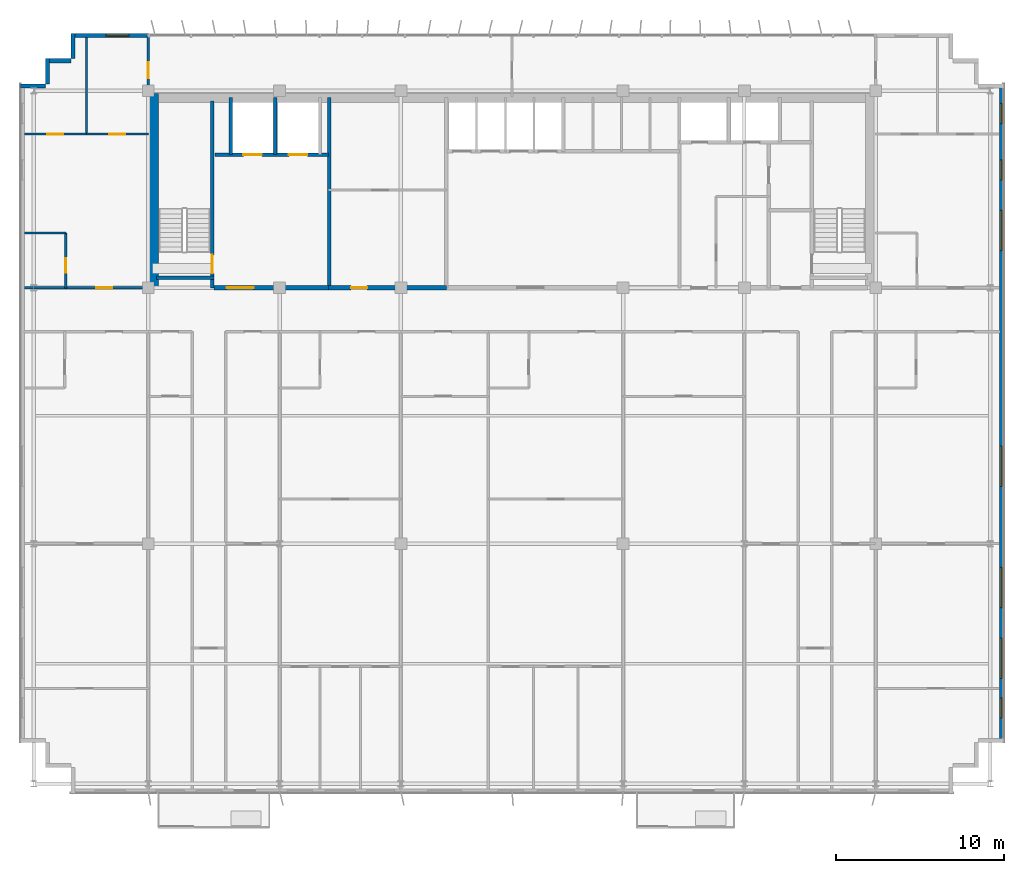
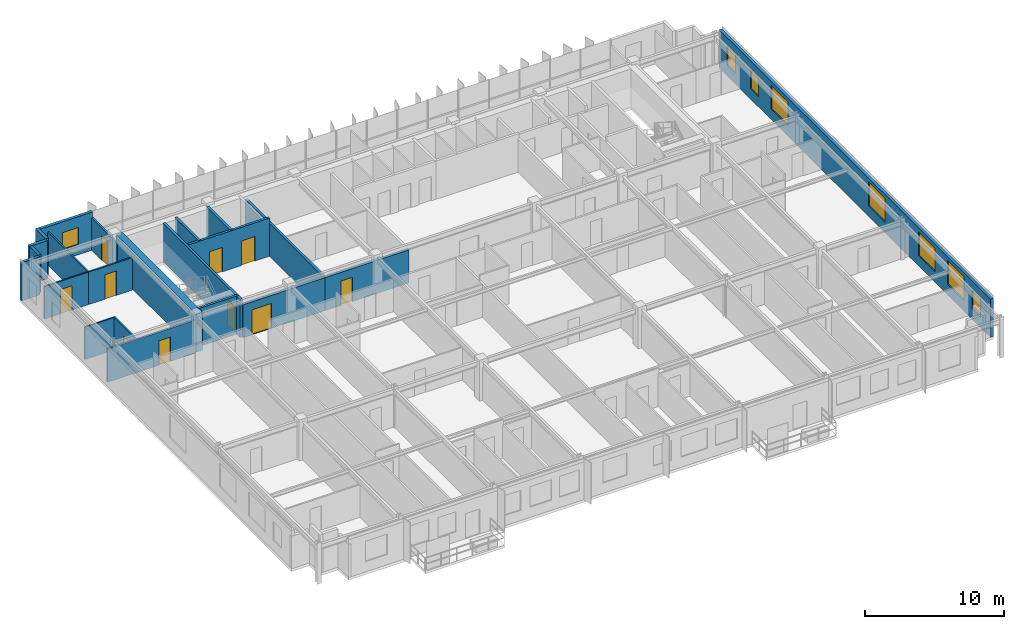
# One storey, part 19 of 23: 22 walls, 10 doors, 8 windows, 18 openings.
"""IFC4 building model written with IfcOpenShell, lengths in metres."""

from ifc_helpers import new_model, si_unit, direction, frame, frame_2d, origin, place, context, subcontext, project, spatial, rectangle, extrude, source, transform, mapped, material, layer, layer_set, type_object, element, fill, save


model = new_model("IFC4")

# Units and contexts
model_context = context("Model", 3, precision=1e-05, world=origin(), true_north=direction((0.0, 1.0)))
body_context = subcontext(model_context, "Body", "Model", "MODEL_VIEW")
ifc_project = project(units=[si_unit("LENGTHUNIT", "METRE"), si_unit("AREAUNIT", "SQUARE_METRE"), si_unit("VOLUMEUNIT", "CUBIC_METRE"), si_unit("PLANEANGLEUNIT", "RADIAN"), si_unit("MASSUNIT", "GRAM", prefix="KILO")], contexts=[model_context])

# Site, building, storey
site_placement = place(None, origin())
site = spatial("IfcSite", under=ifc_project, at=site_placement, CompositionType="ELEMENT")
building_placement = place(site_placement, origin())
building = spatial("IfcBuilding", under=site, at=building_placement, Name="Trelvane Seafront Commons", CompositionType="ELEMENT")
storey_placement = place(building_placement, frame((0.0, 0.0, 212.10009765625)))
storey = spatial("IfcBuildingStorey", under=building, at=storey_placement, Name="L55", CompositionType="ELEMENT", Elevation=212.10009765625)

# Wall, opening, window
ifc_material_1 = material(Name="Precast concrete C40/50", Category="concrete")
ifc_layer_1 = layer(ifc_material_1, 0.239990234375, Name="ARCH-WALL-EXT240")
ifc_layer_set_1 = layer_set([ifc_layer_1], Name="Precast concrete C40/50")
wall_type_1 = type_object("IfcWallType", Name="ARCH-WALL-EXT240", PredefinedType="SOLIDWALL", material=ifc_layer_set_1)
wall_1_placement = place(storey_placement, frame((11.10009765625, 48.3701171875, 0.0), z_axis=(0.0, 0.0, 1.0), x_axis=(1.0, 0.0, 0.0)))
wall_1 = element("IfcWall", 1, at=wall_1_placement, inside=storey, type_object=wall_type_1, Name="EW-L55-NW-1099", PredefinedType="SOLIDWALL", context=body_context, shape_type="SweptSolid", body=[
    extrude(rectangle(XDim=4.5, YDim=0.239990234375, at=frame_2d((2.25, 0.0))), origin(), (0.0, 0.0, 1.0), 3.35986328125),
])
opening_1_placement = place(wall_1_placement, frame((2.0029296875, 0.0, 0.89990234375)))
opening_1 = element("IfcOpeningElement", 2, at=opening_1_placement, cuts=wall_1, Name="Opening W09", PredefinedType="OPENING", context=body_context, shape_type="SweptSolid", body=[
    extrude(rectangle(XDim=1.35009765625, YDim=1.5, at=frame_2d((0.675048828125, 0.75))), frame((0.0, 0.1298828125, 0.0), z_axis=(0.0, -1.0, 0.0), x_axis=(1.0, 0.0, 0.0)), (0.0, 0.0, 1.0), 0.260009765625),
])
ifc_material_2 = material(Name="Low-E coastal double glazing", Category="glass")
window_type_1 = type_object("IfcWindowType", Name="ARCH-WIN-W09", PartitioningType="SINGLE_PANEL", PredefinedType="WINDOW", material=ifc_material_2)
shared_shape_1 = source(origin(), body_context, "Body", "SweptSolid", [
    extrude(rectangle(XDim=1.35009765625, YDim=1.5, at=frame_2d((0.675048828125, 0.75))), frame((0.0, 0.030029296875, 0.0), z_axis=(0.0, -1.0, 0.0), x_axis=(1.0, 0.0, 0.0)), (0.0, 0.0, 1.0), 0.06005859375),
])
window_1_placement = place(opening_1_placement, origin())
window_1 = element("IfcWindow", 3, at=window_1_placement, inside=storey, type_object=window_type_1, Name="WIN-L55-01329", OverallHeight=1.5, OverallWidth=1.35009765625, PartitioningType="SINGLE_PANEL", PredefinedType="WINDOW", context=body_context, shape_type="MappedRepresentation", body=[
    mapped(shared_shape_1, transform((0.0, 0.0, 0.0), x_axis=(1.0, 0.0, 0.0), y_axis=(0.0, 1.0, 0.0), z_axis=(0.0, 0.0, 1.0), scale=1.0)),
])
fill(opening_1, window_1)

# Walls
for number, where, z_axis, x_axis, name in (
    (4, (8.0, 45.3798828125, 0.0), (0.0, 0.0, 1.0), (1.0, 0.0, 0.0), "EW-L55-01105"),
    (5, (9.6201171875, 45.5, 0.0), (0.0, 0.0, 1.0), (0.0, 1.0, 0.0), "EW-L55-01106"),
    (6, (9.5, 46.8798828125, 0.0), (0.0, 0.0, 1.0), (1.0, 0.0, 0.0), "EW-L55-01107"),
    (7, (11.1201171875, 47.0, 0.0), (0.0, 0.0, 1.0), (0.0, 1.0, 0.0), "EW-L55-01108"),
):
    element("IfcWall", number, at=place(storey_placement, frame(where, z_axis=z_axis, x_axis=x_axis)), inside=storey, type_object=wall_type_1, Name=name, PredefinedType="SOLIDWALL", context=body_context, shape_type="SweptSolid", body=[
        extrude(rectangle(XDim=1.5, YDim=0.239990234375, at=frame_2d((0.75, 0.0))), origin(), (0.0, 0.0, 1.0), 3.35986328125),
    ])

# Wall, openings, windows
wall_2_placement = place(storey_placement, frame((66.280029296875, 45.5, 0.0), z_axis=(0.0, 0.0, 1.0), x_axis=(0.0, -1.0, 0.0)))
wall_2 = element("IfcWall", 8, at=wall_2_placement, inside=storey, type_object=wall_type_1, Name="EW-L55-01113", PredefinedType="SOLIDWALL", context=body_context, shape_type="SweptSolid", body=[
    extrude(rectangle(XDim=39.10009765625, YDim=0.239990234375, at=frame_2d((19.550048828125, 0.0))), origin(), (0.0, 0.0, 1.0), 3.35986328125),
])
opening_2_placement = place(wall_2_placement, frame((36.449951171875, 0.0, 0.919921875)))
opening_2 = element("IfcOpeningElement", 9, at=opening_2_placement, cuts=wall_2, Name="Opening W05", PredefinedType="OPENING", context=body_context, shape_type="SweptSolid", body=[
    extrude(rectangle(XDim=1.199951171875, YDim=1.64990234375, at=frame_2d((0.60009765625, 0.824951171875))), frame((0.0, 0.1298828125, 0.0), z_axis=(0.0, -1.0, 0.0), x_axis=(1.0, 0.0, 0.0)), (0.0, 0.0, 1.0), 0.260009765625),
])
opening_3_placement = place(wall_2_placement, frame((32.89990234375, 0.0, 0.919921875)))
opening_3 = element("IfcOpeningElement", 10, at=opening_3_placement, cuts=wall_2, Name="Opening W08", PredefinedType="OPENING", context=body_context, shape_type="SweptSolid", body=[
    extrude(rectangle(XDim=2.39990234375, YDim=2.10009765625, at=frame_2d((1.199951171875, 1.050048828125))), frame((0.0, 0.1298828125, 0.0), z_axis=(0.0, -1.0, 0.0), x_axis=(1.0, 0.0, 0.0)), (0.0, 0.0, 1.0), 0.260009765625),
])
opening_4_placement = place(wall_2_placement, frame((28.699951171875, 0.0, 0.919921875)))
opening_4 = element("IfcOpeningElement", 11, at=opening_4_placement, cuts=wall_2, Name="Opening W08", PredefinedType="OPENING", context=body_context, shape_type="SweptSolid", body=[
    extrude(rectangle(XDim=2.39990234375, YDim=2.10009765625, at=frame_2d((1.199951171875, 1.050048828125))), frame((0.0, 0.1298828125, 0.0), z_axis=(0.0, -1.0, 0.0), x_axis=(1.0, 0.0, 0.0)), (0.0, 0.0, 1.0), 0.260009765625),
])
opening_5_placement = place(wall_2_placement, frame((21.5, 0.0, 0.919921875)))
opening_5 = element("IfcOpeningElement", 12, at=opening_5_placement, cuts=wall_2, Name="Opening W08", PredefinedType="OPENING", context=body_context, shape_type="SweptSolid", body=[
    extrude(rectangle(XDim=2.39990234375, YDim=2.10009765625, at=frame_2d((1.199951171875, 1.050048828125))), frame((0.0, 0.1298828125, 0.0), z_axis=(0.0, -1.0, 0.0), x_axis=(1.0, 0.0, 0.0)), (0.0, 0.0, 1.0), 0.260009765625),
])
opening_6_placement = place(wall_2_placement, frame((7.5, 0.0, 0.919921875)))
opening_6 = element("IfcOpeningElement", 13, at=opening_6_placement, cuts=wall_2, Name="Opening W08", PredefinedType="OPENING", context=body_context, shape_type="SweptSolid", body=[
    extrude(rectangle(XDim=2.39990234375, YDim=2.10009765625, at=frame_2d((1.199951171875, 1.050048828125))), frame((0.0, 0.1298828125, 0.0), z_axis=(0.0, -1.0, 0.0), x_axis=(1.0, 0.0, 0.0)), (0.0, 0.0, 1.0), 0.260009765625),
])
opening_7_placement = place(wall_2_placement, frame((4.5, 0.0, 0.919921875)))
opening_7 = element("IfcOpeningElement", 14, at=opening_7_placement, cuts=wall_2, Name="Opening W05", PredefinedType="OPENING", context=body_context, shape_type="SweptSolid", body=[
    extrude(rectangle(XDim=1.199951171875, YDim=1.64990234375, at=frame_2d((0.60009765625, 0.824951171875))), frame((0.0, 0.1298828125, 0.0), z_axis=(0.0, -1.0, 0.0), x_axis=(1.0, 0.0, 0.0)), (0.0, 0.0, 1.0), 0.260009765625),
])
opening_8_placement = place(wall_2_placement, frame((1.14990234375, 0.0, 0.919921875)))
opening_8 = element("IfcOpeningElement", 15, at=opening_8_placement, cuts=wall_2, Name="Opening W05", PredefinedType="OPENING", context=body_context, shape_type="SweptSolid", body=[
    extrude(rectangle(XDim=1.199951171875, YDim=1.64990234375, at=frame_2d((0.60009765625, 0.824951171875))), frame((0.0, 0.1298828125, 0.0), z_axis=(0.0, -1.0, 0.0), x_axis=(1.0, 0.0, 0.0)), (0.0, 0.0, 1.0), 0.260009765625),
])
window_type_2 = type_object("IfcWindowType", Name="ARCH-WIN-W08", PartitioningType="SINGLE_PANEL", PredefinedType="WINDOW", material=ifc_material_2)
shared_shape_2 = source(origin(), body_context, "Body", "SweptSolid", [
    extrude(rectangle(XDim=2.39990234375, YDim=2.10009765625, at=frame_2d((1.199951171875, 1.050048828125))), frame((0.0, 0.030029296875, 0.0), z_axis=(0.0, -1.0, 0.0), x_axis=(1.0, 0.0, 0.0)), (0.0, 0.0, 1.0), 0.06005859375),
])
window_2_placement = place(opening_3_placement, origin())
window_2 = element("IfcWindow", 16, at=window_2_placement, inside=storey, type_object=window_type_2, Name="WIN-L55-EW-01338", OverallHeight=2.10009765625, OverallWidth=2.39990234375, PartitioningType="SINGLE_PANEL", PredefinedType="WINDOW", context=body_context, shape_type="MappedRepresentation", body=[
    mapped(shared_shape_2, transform((0.0, 0.0, 0.0), x_axis=(1.0, 0.0, 0.0), y_axis=(0.0, 1.0, 0.0), z_axis=(0.0, 0.0, 1.0), scale=1.0)),
])
fill(opening_3, window_2)
window_3_placement = place(opening_4_placement, origin())
window_3 = element("IfcWindow", 17, at=window_3_placement, inside=storey, type_object=window_type_2, Name="WIN-L55-EW-01339", OverallHeight=2.10009765625, OverallWidth=2.39990234375, PartitioningType="SINGLE_PANEL", PredefinedType="WINDOW", context=body_context, shape_type="MappedRepresentation", body=[
    mapped(shared_shape_2, transform((0.0, 0.0, 0.0), x_axis=(1.0, 0.0, 0.0), y_axis=(0.0, 1.0, 0.0), z_axis=(0.0, 0.0, 1.0), scale=1.0)),
])
fill(opening_4, window_3)
window_4_placement = place(opening_5_placement, origin())
window_4 = element("IfcWindow", 18, at=window_4_placement, inside=storey, type_object=window_type_2, Name="WIN-L55-EW-01340", OverallHeight=2.10009765625, OverallWidth=2.39990234375, PartitioningType="SINGLE_PANEL", PredefinedType="WINDOW", context=body_context, shape_type="MappedRepresentation", body=[
    mapped(shared_shape_2, transform((0.0, 0.0, 0.0), x_axis=(1.0, 0.0, 0.0), y_axis=(0.0, 1.0, 0.0), z_axis=(0.0, 0.0, 1.0), scale=1.0)),
])
fill(opening_5, window_4)
window_5_placement = place(opening_6_placement, origin())
window_5 = element("IfcWindow", 19, at=window_5_placement, inside=storey, type_object=window_type_2, Name="WIN-L55-EW-01341", OverallHeight=2.10009765625, OverallWidth=2.39990234375, PartitioningType="SINGLE_PANEL", PredefinedType="WINDOW", context=body_context, shape_type="MappedRepresentation", body=[
    mapped(shared_shape_2, transform((0.0, 0.0, 0.0), x_axis=(1.0, 0.0, 0.0), y_axis=(0.0, 1.0, 0.0), z_axis=(0.0, 0.0, 1.0), scale=1.0)),
])
fill(opening_6, window_5)
window_type_3 = type_object("IfcWindowType", Name="ARCH-WIN-W05", PartitioningType="SINGLE_PANEL", PredefinedType="WINDOW", material=ifc_material_2)
shared_shape_3 = source(origin(), body_context, "Body", "SweptSolid", [
    extrude(rectangle(XDim=1.199951171875, YDim=1.64990234375, at=frame_2d((0.60009765625, 0.824951171875))), frame((0.0, 0.030029296875, 0.0), z_axis=(0.0, -1.0, 0.0), x_axis=(1.0, 0.0, 0.0)), (0.0, 0.0, 1.0), 0.06005859375),
])
window_6_placement = place(opening_2_placement, origin())
window_6 = element("IfcWindow", 20, at=window_6_placement, inside=storey, type_object=window_type_3, Name="WIN-L55-EW-01337", OverallHeight=1.64990234375, OverallWidth=1.199951171875, PartitioningType="SINGLE_PANEL", PredefinedType="WINDOW", context=body_context, shape_type="MappedRepresentation", body=[
    mapped(shared_shape_3, transform((0.0, 0.0, 0.0), x_axis=(1.0, 0.0, 0.0), y_axis=(0.0, 1.0, 0.0), z_axis=(0.0, 0.0, 1.0), scale=1.0)),
])
fill(opening_2, window_6)
window_7_placement = place(opening_7_placement, origin())
window_7 = element("IfcWindow", 21, at=window_7_placement, inside=storey, type_object=window_type_3, Name="WIN-L55-EW-01342", OverallHeight=1.64990234375, OverallWidth=1.199951171875, PartitioningType="SINGLE_PANEL", PredefinedType="WINDOW", context=body_context, shape_type="MappedRepresentation", body=[
    mapped(shared_shape_3, transform((0.0, 0.0, 0.0), x_axis=(1.0, 0.0, 0.0), y_axis=(0.0, 1.0, 0.0), z_axis=(0.0, 0.0, 1.0), scale=1.0)),
])
fill(opening_7, window_7)
window_8_placement = place(opening_8_placement, origin())
window_8 = element("IfcWindow", 22, at=window_8_placement, inside=storey, type_object=window_type_3, Name="WIN-L55-EW-01343", OverallHeight=1.64990234375, OverallWidth=1.199951171875, PartitioningType="SINGLE_PANEL", PredefinedType="WINDOW", context=body_context, shape_type="MappedRepresentation", body=[
    mapped(shared_shape_3, transform((0.0, 0.0, 0.0), x_axis=(1.0, 0.0, 0.0), y_axis=(0.0, 1.0, 0.0), z_axis=(0.0, 0.0, 1.0), scale=1.0)),
])
fill(opening_8, window_8)

# Wall, opening, door
ifc_material_3 = material(Name="Concrete C40/50", Category="concrete")
ifc_layer_2 = layer(ifc_material_3, 0.25, Name="ARCH-WALL-FIRE250")
ifc_layer_set_2 = layer_set([ifc_layer_2], Name="Concrete C40/50")
wall_type_2 = type_object("IfcWallType", Name="ARCH-WALL-FIRE250", PredefinedType="PARTITIONING", material=ifc_layer_set_2)
wall_3_placement = place(storey_placement, frame((19.5, 33.39990234375, 0.0), z_axis=(0.0, 0.0, 1.0), x_axis=(1.0, 0.0, 0.0)))
wall_3 = element("IfcWall", 23, at=wall_3_placement, inside=storey, type_object=wall_type_2, Name="W-L55-CS-FFL-013", PredefinedType="PARTITIONING", context=body_context, shape_type="SweptSolid", body=[
    extrude(rectangle(XDim=6.800048828125, YDim=0.25, at=frame_2d((3.39990234375, 0.0))), origin(), (0.0, 0.0, 1.0), 2.909912109375),
])
opening_9_placement = place(wall_3_placement, frame((0.75, 0.0, 0.0)))
opening_9 = element("IfcOpeningElement", 24, at=opening_9_placement, cuts=wall_3, Name="Opening FD-L55-05", PredefinedType="OPENING", context=body_context, shape_type="SweptSolid", body=[
    extrude(rectangle(XDim=1.60009765625, YDim=2.199951171875, at=frame_2d((0.800048828125, 1.10009765625))), frame((0.0, 0.135009765625, 0.0), z_axis=(0.0, -1.0, 0.0), x_axis=(1.0, 0.0, 0.0)), (0.0, 0.0, 1.0), 0.27001953125),
])
ifc_material_4 = material(Name="Powder-coated aluminium frame", Category="aluminium")
door_type_1 = type_object("IfcDoorType", Name="ARCH-DR-FD60-1600", OperationType="DOUBLE_DOOR_SINGLE_SWING", PredefinedType="DOOR", material=ifc_material_4)
shared_shape_4 = source(origin(), body_context, "Body", "SweptSolid", [
    extrude(rectangle(XDim=1.60009765625, YDim=2.199951171875, at=frame_2d((0.800048828125, 1.10009765625))), frame((0.0, 0.02490234375, 0.0), z_axis=(0.0, -1.0, 0.0), x_axis=(1.0, 0.0, 0.0)), (0.0, 0.0, 1.0), 0.050048828125),
])
door_1_placement = place(opening_9_placement, origin())
door_1 = element("IfcDoor", 25, at=door_1_placement, inside=storey, type_object=door_type_1, Name="L55 Firefighting Lift Lobby Double Fire Door", OperationType="DOUBLE_DOOR_SINGLE_SWING", OverallHeight=2.199951171875, OverallWidth=1.60009765625, PredefinedType="DOOR", context=body_context, shape_type="MappedRepresentation", body=[
    mapped(shared_shape_4, transform((0.0, 0.0, 0.0), x_axis=(1.0, 0.0, 0.0), y_axis=(0.0, 1.0, 0.0), z_axis=(0.0, 0.0, 1.0), scale=1.0)),
])
fill(opening_9, door_1)

wall_4_placement = place(storey_placement, frame((26.300048828125, 33.39990234375, 0.0), z_axis=(0.0, 0.0, 1.0), x_axis=(1.0, 0.0, 0.0)))
wall_4 = element("IfcWall", 26, at=wall_4_placement, inside=storey, type_object=wall_type_2, Name="W-L55-CS-FPL-026", PredefinedType="PARTITIONING", context=body_context, shape_type="SweptSolid", body=[
    extrude(rectangle(XDim=7.0, YDim=0.25, at=frame_2d((3.5, 0.0))), origin(), (0.0, 0.0, 1.0), 2.909912109375),
])
opening_10_placement = place(wall_4_placement, frame((1.35009765625, 0.0, 0.0)))
opening_10 = element("IfcOpeningElement", 27, at=opening_10_placement, cuts=wall_4, Name="Opening D-L55-11", PredefinedType="OPENING", context=body_context, shape_type="SweptSolid", body=[
    extrude(rectangle(XDim=0.949951171875, YDim=2.14990234375, at=frame_2d((0.47509765625, 1.074951171875))), frame((0.0, 0.135009765625, 0.0), z_axis=(0.0, -1.0, 0.0), x_axis=(1.0, 0.0, 0.0)), (0.0, 0.0, 1.0), 0.27001953125),
])
ifc_material_5 = material(Name="Acoustic timber door leaf", Category="wood")
door_type_2 = type_object("IfcDoorType", Name="ARCH-DR-INT950", OperationType="NOTDEFINED", PredefinedType="DOOR", material=ifc_material_5)
shared_shape_5 = source(origin(), body_context, "Body", "SweptSolid", [
    extrude(rectangle(XDim=0.949951171875, YDim=2.14990234375, at=frame_2d((0.47509765625, 1.074951171875))), frame((0.0, 0.02490234375, 0.0), z_axis=(0.0, -1.0, 0.0), x_axis=(1.0, 0.0, 0.0)), (0.0, 0.0, 1.0), 0.050048828125),
])
door_2_placement = place(opening_10_placement, origin())
door_2 = element("IfcDoor", 28, at=door_2_placement, inside=storey, type_object=door_type_2, Name="L55 Floor Pantry Entrance Door", OperationType="SINGLE_SWING_LEFT", OverallHeight=2.14990234375, OverallWidth=0.949951171875, PredefinedType="DOOR", context=body_context, shape_type="MappedRepresentation", body=[
    mapped(shared_shape_5, transform((0.0, 0.0, 0.0), x_axis=(1.0, 0.0, 0.0), y_axis=(0.0, 1.0, 0.0), z_axis=(0.0, 0.0, 1.0), scale=1.0)),
])
fill(opening_10, door_2)

ifc_material_6 = material(Name="Gypsum Drywall Acoustic Partition")
ifc_layer_3 = layer(ifc_material_6, 0.1201171875, Name="ARCH-WALL-PART120")
ifc_layer_set_3 = layer_set([ifc_layer_3], Name="Gypsum Drywall Acoustic Partition")
wall_type_3 = type_object("IfcWallType", Name="ARCH-WALL-PART120", PredefinedType="PARTITIONING", material=ifc_layer_set_3)
wall_5_placement = place(storey_placement, frame((10.699951171875, 33.39990234375, 0.0), z_axis=(0.0, 0.0, 1.0), x_axis=(0.0, 1.0, 0.0)))
wall_5 = element("IfcWall", 29, at=wall_5_placement, inside=storey, type_object=wall_type_3, Name="W-L55-NW-BE-036", PredefinedType="PARTITIONING", context=body_context, shape_type="SweptSolid", body=[
    extrude(rectangle(XDim=3.25, YDim=0.1201171875, at=frame_2d((1.625, 0.0))), origin(), (0.0, 0.0, 1.0), 2.909912109375),
])
opening_11_placement = place(wall_5_placement, frame((0.89990234375, 0.0, 0.0)))
opening_11 = element("IfcOpeningElement", 30, at=opening_11_placement, cuts=wall_5, Name="Opening D-L55-19", PredefinedType="OPENING", context=body_context, shape_type="SweptSolid", body=[
    extrude(rectangle(XDim=0.85009765625, YDim=2.10009765625, at=frame_2d((0.425048828125, 1.050048828125))), frame((0.0, 0.070068359375, 0.0), z_axis=(0.0, -1.0, 0.0), x_axis=(1.0, 0.0, 0.0)), (0.0, 0.0, 1.0), 0.14013671875),
])
door_type_3 = type_object("IfcDoorType", Name="ARCH-DR-INT850", OperationType="NOTDEFINED", PredefinedType="DOOR", material=ifc_material_5)
shared_shape_6 = source(origin(), body_context, "Body", "SweptSolid", [
    extrude(rectangle(XDim=0.85009765625, YDim=2.10009765625, at=frame_2d((0.425048828125, 1.050048828125))), frame((0.0, 0.02490234375, 0.0), z_axis=(0.0, -1.0, 0.0), x_axis=(1.0, 0.0, 0.0)), (0.0, 0.0, 1.0), 0.050048828125),
])
door_3_placement = place(opening_11_placement, origin())
door_3 = element("IfcDoor", 31, at=door_3_placement, inside=storey, type_object=door_type_3, Name="L55 Door 19", OperationType="SINGLE_SWING_LEFT", OverallHeight=2.10009765625, OverallWidth=0.85009765625, PredefinedType="DOOR", context=body_context, shape_type="MappedRepresentation", body=[
    mapped(shared_shape_6, transform((0.0, 0.0, 0.0), x_axis=(1.0, 0.0, 0.0), y_axis=(0.0, 1.0, 0.0), z_axis=(0.0, 0.0, 1.0), scale=1.0)),
])
fill(opening_11, door_3)

# Wall
wall_6_placement = place(storey_placement, frame((8.25, 36.64990234375, 0.0), z_axis=(0.0, 0.0, 1.0), x_axis=(1.0, 0.0, 0.0)))
element("IfcWall", 32, at=wall_6_placement, inside=storey, type_object=wall_type_3, Name="W-L55-NW-BN-037", PredefinedType="PARTITIONING", context=body_context, shape_type="SweptSolid", body=[
    extrude(rectangle(XDim=2.449951171875, YDim=0.1201171875, at=frame_2d((1.22509765625, 0.0))), origin(), (0.0, 0.0, 1.0), 2.85986328125),
])

# Wall, opening, door
wall_7_placement = place(storey_placement, frame((8.25, 42.52001953125, 0.0), z_axis=(0.0, 0.0, 1.0), x_axis=(1.0, 0.0, 0.0)))
wall_7 = element("IfcWall", 33, at=wall_7_placement, inside=storey, type_object=wall_type_3, Name="W-L55-NW-KB1-038", PredefinedType="PARTITIONING", context=body_context, shape_type="SweptSolid", body=[
    extrude(rectangle(XDim=3.675048828125, YDim=0.1201171875, at=frame_2d((1.83740234375, 0.0))), origin(), (0.0, 0.0, 1.0), 2.85986328125),
])
opening_12_placement = place(wall_7_placement, frame((1.363037109375, 0.0, 0.0)))
opening_12 = element("IfcOpeningElement", 34, at=opening_12_placement, cuts=wall_7, Name="Opening D-L55-20", PredefinedType="OPENING", context=body_context, shape_type="SweptSolid", body=[
    extrude(rectangle(XDim=0.949951171875, YDim=2.14990234375, at=frame_2d((0.47509765625, 1.074951171875))), frame((0.0, 0.070068359375, 0.0), z_axis=(0.0, -1.0, 0.0), x_axis=(1.0, 0.0, 0.0)), (0.0, 0.0, 1.0), 0.14013671875),
])
door_4_placement = place(opening_12_placement, origin())
door_4 = element("IfcDoor", 35, at=door_4_placement, inside=storey, type_object=door_type_2, Name="L55 Door 20", OperationType="SINGLE_SWING_RIGHT", OverallHeight=2.14990234375, OverallWidth=0.949951171875, PredefinedType="DOOR", context=body_context, shape_type="MappedRepresentation", body=[
    mapped(shared_shape_5, transform((0.0, 0.0, 0.0), x_axis=(1.0, 0.0, 0.0), y_axis=(0.0, 1.0, 0.0), z_axis=(0.0, 0.0, 1.0), scale=1.0)),
])
fill(opening_12, door_4)

wall_8_placement = place(storey_placement, frame((11.925048828125, 42.52001953125, 0.0), z_axis=(0.0, 0.0, 1.0), x_axis=(1.0, 0.0, 0.0)))
wall_8 = element("IfcWall", 36, at=wall_8_placement, inside=storey, type_object=wall_type_3, Name="W-L55-NW-KB2-039", PredefinedType="PARTITIONING", context=body_context, shape_type="SweptSolid", body=[
    extrude(rectangle(XDim=3.675048828125, YDim=0.1201171875, at=frame_2d((1.83740234375, 0.0))), origin(), (0.0, 0.0, 1.0), 2.85986328125),
])
opening_13_placement = place(wall_8_placement, frame((1.362060546875, 0.0, 0.0)))
opening_13 = element("IfcOpeningElement", 37, at=opening_13_placement, cuts=wall_8, Name="Opening D-L55-21", PredefinedType="OPENING", context=body_context, shape_type="SweptSolid", body=[
    extrude(rectangle(XDim=0.949951171875, YDim=2.14990234375, at=frame_2d((0.47509765625, 1.074951171875))), frame((0.0, 0.070068359375, 0.0), z_axis=(0.0, -1.0, 0.0), x_axis=(1.0, 0.0, 0.0)), (0.0, 0.0, 1.0), 0.14013671875),
])
door_5_placement = place(opening_13_placement, origin())
door_5 = element("IfcDoor", 38, at=door_5_placement, inside=storey, type_object=door_type_2, Name="L55 Door 21", OperationType="SINGLE_SWING_LEFT", OverallHeight=2.14990234375, OverallWidth=0.949951171875, PredefinedType="DOOR", context=body_context, shape_type="MappedRepresentation", body=[
    mapped(shared_shape_5, transform((0.0, 0.0, 0.0), x_axis=(1.0, 0.0, 0.0), y_axis=(0.0, 1.0, 0.0), z_axis=(0.0, 0.0, 1.0), scale=1.0)),
])
fill(opening_13, door_5)

# Wall
wall_9_placement = place(storey_placement, frame((11.925048828125, 42.52001953125, 0.0), z_axis=(0.0, 0.0, 1.0), x_axis=(0.0, 1.0, 0.0)))
element("IfcWall", 39, at=wall_9_placement, inside=storey, type_object=wall_type_3, Name="W-L55-NW-KBDV-040", PredefinedType="PARTITIONING", context=body_context, shape_type="SweptSolid", body=[
    extrude(rectangle(XDim=5.739990234375, YDim=0.1201171875, at=frame_2d((2.8701171875, 0.0))), origin(), (0.0, 0.0, 1.0), 2.909912109375),
])

# Wall, opening, door
ifc_layer_4 = layer(ifc_material_6, 0.14990234375, Name="ARCH-WALL-PART150")
ifc_layer_set_4 = layer_set([ifc_layer_4], Name="Gypsum Drywall Acoustic Partition")
wall_type_4 = type_object("IfcWallType", Name="ARCH-WALL-PART150", PredefinedType="PARTITIONING", material=ifc_layer_set_4)
wall_10_placement = place(storey_placement, frame((8.25, 33.39990234375, 0.0), z_axis=(0.0, 0.0, 1.0), x_axis=(1.0, 0.0, 0.0)))
wall_10 = element("IfcWall", 40, at=wall_10_placement, inside=storey, type_object=wall_type_4, Name="W-L55-NW-ENT-041", PredefinedType="PARTITIONING", context=body_context, shape_type="SweptSolid", body=[
    extrude(rectangle(XDim=7.35009765625, YDim=0.14990234375, at=frame_2d((3.675048828125, 0.0))), origin(), (0.0, 0.0, 1.0), 2.909912109375),
])
opening_14_placement = place(wall_10_placement, frame((4.27490234375, 0.0, 0.0)))
opening_14 = element("IfcOpeningElement", 41, at=opening_14_placement, cuts=wall_10, Name="Opening FD-L55-22", PredefinedType="OPENING", context=body_context, shape_type="SweptSolid", body=[
    extrude(rectangle(XDim=0.949951171875, YDim=2.14990234375, at=frame_2d((0.47509765625, 1.074951171875))), frame((0.0, 0.0849609375, 0.0), z_axis=(0.0, -1.0, 0.0), x_axis=(1.0, 0.0, 0.0)), (0.0, 0.0, 1.0), 0.169921875),
])
door_type_4 = type_object("IfcDoorType", Name="ARCH-DR-FD60-950", OperationType="NOTDEFINED", PredefinedType="DOOR", material=ifc_material_4)
door_6_placement = place(opening_14_placement, origin())
door_6 = element("IfcDoor", 42, at=door_6_placement, inside=storey, type_object=door_type_4, Name="L55 NW Flat Entrance Door", OperationType="SINGLE_SWING_RIGHT", OverallHeight=2.14990234375, OverallWidth=0.949951171875, PredefinedType="DOOR", context=body_context, shape_type="MappedRepresentation", body=[
    mapped(shared_shape_5, transform((0.0, 0.0, 0.0), x_axis=(1.0, 0.0, 0.0), y_axis=(0.0, 1.0, 0.0), z_axis=(0.0, 0.0, 1.0), scale=1.0)),
])
fill(opening_14, door_6)

wall_11_placement = place(storey_placement, frame((15.60009765625, 44.75, 0.0), z_axis=(0.0, 0.0, 1.0), x_axis=(0.0, 1.0, 0.0)))
wall_11 = element("IfcWall", 43, at=wall_11_placement, inside=storey, type_object=wall_type_4, Name="W-L55-N-LINK-W-049", PredefinedType="PARTITIONING", context=body_context, shape_type="SweptSolid", body=[
    extrude(rectangle(XDim=3.610107421875, YDim=0.14990234375, at=frame_2d((1.80517578125, 0.0))), origin(), (0.0, 0.0, 1.0), 2.85986328125),
])
opening_15_placement = place(wall_11_placement, frame((1.10009765625, 0.0, 0.0)))
opening_15 = element("IfcOpeningElement", 44, at=opening_15_placement, cuts=wall_11, Name="Opening FD-L55-28", PredefinedType="OPENING", context=body_context, shape_type="SweptSolid", body=[
    extrude(rectangle(XDim=0.949951171875, YDim=2.14990234375, at=frame_2d((0.47509765625, 1.074951171875))), frame((0.0, 0.0849609375, 0.0), z_axis=(0.0, -1.0, 0.0), x_axis=(1.0, 0.0, 0.0)), (0.0, 0.0, 1.0), 0.169921875),
])
door_7_placement = place(opening_15_placement, origin())
door_7 = element("IfcDoor", 45, at=door_7_placement, inside=storey, type_object=door_type_4, Name="L55 Door 28", OperationType="SINGLE_SWING_RIGHT", OverallHeight=2.14990234375, OverallWidth=0.949951171875, PredefinedType="DOOR", context=body_context, shape_type="MappedRepresentation", body=[
    mapped(shared_shape_5, transform((0.0, 0.0, 0.0), x_axis=(1.0, 0.0, 0.0), y_axis=(0.0, 1.0, 0.0), z_axis=(0.0, 0.0, 1.0), scale=1.0)),
])
fill(opening_15, door_7)

# Wall, openings, doors
ifc_layer_5 = layer(ifc_material_3, 0.199951171875, Name="ARCH-WALL-SHAFT200")
ifc_layer_set_5 = layer_set([ifc_layer_5], Name="Concrete C40/50")
wall_type_5 = type_object("IfcWallType", Name="ARCH-WALL-SHAFT200", PredefinedType="SOLIDWALL", material=ifc_layer_set_5)
wall_12_placement = place(storey_placement, frame((19.550048828125, 41.300048828125, 0.0), z_axis=(0.0, 0.0, 1.0), x_axis=(1.0, 0.0, 0.0)))
wall_12 = element("IfcWall", 46, at=wall_12_placement, inside=storey, type_object=wall_type_5, Name="W-L55-FFL-FRONT-008", PredefinedType="SOLIDWALL", context=body_context, shape_type="SweptSolid", body=[
    extrude(rectangle(XDim=6.75, YDim=0.199951171875, at=frame_2d((3.375, 0.0))), origin(), (0.0, 0.0, 1.0), 3.35986328125),
])
opening_16_placement = place(wall_12_placement, frame((1.699951171875, 0.0, 0.0)))
opening_16 = element("IfcOpeningElement", 47, at=opening_16_placement, cuts=wall_12, Name="Opening LD-FF1-L55", PredefinedType="OPENING", context=body_context, shape_type="SweptSolid", body=[
    extrude(rectangle(XDim=1.10009765625, YDim=2.14990234375, at=frame_2d((0.550048828125, 1.074951171875))), frame((0.0, 0.10986328125, 0.0), z_axis=(0.0, -1.0, 0.0), x_axis=(1.0, 0.0, 0.0)), (0.0, 0.0, 1.0), 0.219970703125),
])
opening_17_placement = place(wall_12_placement, frame((4.39990234375, 0.0, 0.0)))
opening_17 = element("IfcOpeningElement", 48, at=opening_17_placement, cuts=wall_12, Name="Opening LD-FF2-L55", PredefinedType="OPENING", context=body_context, shape_type="SweptSolid", body=[
    extrude(rectangle(XDim=1.10009765625, YDim=2.14990234375, at=frame_2d((0.550048828125, 1.074951171875))), frame((0.0, 0.10986328125, 0.0), z_axis=(0.0, -1.0, 0.0), x_axis=(1.0, 0.0, 0.0)), (0.0, 0.0, 1.0), 0.219970703125),
])
ifc_material_7 = material(Name="Stainless steel balustrade", Category="steel")
door_type_5 = type_object("IfcDoorType", Name="ARCH-DR-LD1100", OperationType="DOUBLE_DOOR_SLIDING", PredefinedType="DOOR", material=ifc_material_7)
shared_shape_7 = source(origin(), body_context, "Body", "SweptSolid", [
    extrude(rectangle(XDim=1.10009765625, YDim=2.14990234375, at=frame_2d((0.550048828125, 1.074951171875))), frame((0.0, 0.02490234375, 0.0), z_axis=(0.0, -1.0, 0.0), x_axis=(1.0, 0.0, 0.0)), (0.0, 0.0, 1.0), 0.050048828125),
])
door_8_placement = place(opening_16_placement, origin())
door_8 = element("IfcDoor", 49, at=door_8_placement, inside=storey, type_object=door_type_5, Name="L55 Firefighting Lift FFL-1 Landing Door", OperationType="DOUBLE_DOOR_SLIDING", OverallHeight=2.14990234375, OverallWidth=1.10009765625, PredefinedType="DOOR", context=body_context, shape_type="MappedRepresentation", body=[
    mapped(shared_shape_7, transform((0.0, 0.0, 0.0), x_axis=(1.0, 0.0, 0.0), y_axis=(0.0, 1.0, 0.0), z_axis=(0.0, 0.0, 1.0), scale=1.0)),
])
fill(opening_16, door_8)
door_9_placement = place(opening_17_placement, origin())
door_9 = element("IfcDoor", 50, at=door_9_placement, inside=storey, type_object=door_type_5, Name="L55 Firefighting Lift FFL-2 Landing Door", OperationType="DOUBLE_DOOR_SLIDING", OverallHeight=2.14990234375, OverallWidth=1.10009765625, PredefinedType="DOOR", context=body_context, shape_type="MappedRepresentation", body=[
    mapped(shared_shape_7, transform((0.0, 0.0, 0.0), x_axis=(1.0, 0.0, 0.0), y_axis=(0.0, 1.0, 0.0), z_axis=(0.0, 0.0, 1.0), scale=1.0)),
])
fill(opening_17, door_9)

# Walls
for number, where, z_axis, x_axis, name in (
    (51, (20.5, 41.300048828125, 0.0), (0.0, 0.0, 1.0), (0.0, 1.0, 0.0), "W-L55-FFL-SH-W-009"),
    (52, (23.14990234375, 41.300048828125, 0.0), (0.0, 0.0, 1.0), (0.0, 1.0, 0.0), "W-L55-FFL-DIV-010"),
):
    element("IfcWall", number, at=place(storey_placement, frame(where, z_axis=z_axis, x_axis=x_axis)), inside=storey, type_object=wall_type_5, Name=name, PredefinedType="SOLIDWALL", context=body_context, shape_type="SweptSolid", body=[
        extrude(rectangle(XDim=3.39990234375, YDim=0.199951171875, at=frame_2d((1.699951171875, 0.0))), origin(), (0.0, 0.0, 1.0), 3.35986328125),
    ])
wall_13_placement = place(storey_placement, frame((26.35009765625, 33.39990234375, 0.0), z_axis=(0.0, 0.0, 1.0), x_axis=(0.0, 1.0, 0.0)))
element("IfcWall", 53, at=wall_13_placement, inside=storey, type_object=wall_type_5, Name="W-L55-FFL-EAST-012", PredefinedType="SOLIDWALL", context=body_context, shape_type="SweptSolid", body=[
    extrude(rectangle(XDim=11.300048828125, YDim=0.199951171875, at=frame_2d((5.64990234375, 0.0))), origin(), (0.0, 0.0, 1.0), 2.909912109375),
])
ifc_material_8 = material(Name="Concrete C50/60", Category="concrete")
ifc_layer_6 = layer(ifc_material_8, 0.550048828125, Name="STR-WALL-CORE550")
ifc_layer_set_6 = layer_set([ifc_layer_6], Name="Concrete C50/60")
wall_type_6 = type_object("IfcWallType", Name="STR-WALL-CORE550", PredefinedType="SHEAR", material=ifc_layer_set_6)
wall_14_placement = place(storey_placement, frame((15.925048828125, 33.39990234375, 0.0), z_axis=(0.0, 0.0, 1.0), x_axis=(0.0, 1.0, 0.0)))
element("IfcWall", 54, at=wall_14_placement, inside=storey, type_object=wall_type_6, Name="W-L55-CW-END-002", PredefinedType="SHEAR", context=body_context, shape_type="SweptSolid", body=[
    extrude(rectangle(XDim=11.550048828125, YDim=0.550048828125, at=frame_2d((5.77490234375, 0.0))), origin(), (0.0, 0.0, 1.0), 3.35986328125),
])
ifc_layer_7 = layer(ifc_material_8, 0.199951171875, Name="STR-WALL-STAIR200")
ifc_layer_set_7 = layer_set([ifc_layer_7], Name="Concrete C50/60")
wall_type_7 = type_object("IfcWallType", Name="STR-WALL-STAIR200", PredefinedType="SHEAR", material=ifc_layer_set_7)
wall_15_placement = place(storey_placement, frame((16.10009765625, 34.0, 0.0), z_axis=(0.0, 0.0, 1.0), x_axis=(1.0, 0.0, 0.0)))
element("IfcWall", 55, at=wall_15_placement, inside=storey, type_object=wall_type_7, Name="W-L55-ST1-S-004", PredefinedType="SHEAR", context=body_context, shape_type="SweptSolid", body=[
    extrude(rectangle(XDim=3.39990234375, YDim=0.199951171875, at=frame_2d((1.699951171875, 0.0))), origin(), (0.0, 0.0, 1.0), 3.35986328125),
])

# Wall, opening, door
wall_16_placement = place(storey_placement, frame((19.39990234375, 33.39990234375, 0.0), z_axis=(0.0, 0.0, 1.0), x_axis=(0.0, 1.0, 0.0)))
wall_16 = element("IfcWall", 56, at=wall_16_placement, inside=storey, type_object=wall_type_7, Name="W-L55-ST1-E-005", PredefinedType="SHEAR", context=body_context, shape_type="SweptSolid", body=[
    extrude(rectangle(XDim=11.10009765625, YDim=0.199951171875, at=frame_2d((5.550048828125, 0.0))), origin(), (0.0, 0.0, 1.0), 3.35986328125),
])
opening_18_placement = place(wall_16_placement, frame((0.85009765625, 0.0, 0.0)))
opening_18 = element("IfcOpeningElement", 57, at=opening_18_placement, cuts=wall_16, Name="Opening ST-D1-L55", PredefinedType="OPENING", context=body_context, shape_type="SweptSolid", body=[
    extrude(rectangle(XDim=1.10009765625, YDim=2.14990234375, at=frame_2d((0.550048828125, 1.074951171875))), frame((0.0, 0.10986328125, 0.0), z_axis=(0.0, -1.0, 0.0), x_axis=(1.0, 0.0, 0.0)), (0.0, 0.0, 1.0), 0.219970703125),
])
door_type_6 = type_object("IfcDoorType", Name="ARCH-DR-FD90-1100", OperationType="NOTDEFINED", PredefinedType="DOOR", material=ifc_material_4)
door_10_placement = place(opening_18_placement, origin())
door_10 = element("IfcDoor", 58, at=door_10_placement, inside=storey, type_object=door_type_6, Name="L55 Stair ST-1 Lobby Fire Door", OperationType="SINGLE_SWING_LEFT", OverallHeight=2.14990234375, OverallWidth=1.10009765625, PredefinedType="DOOR", context=body_context, shape_type="MappedRepresentation", body=[
    mapped(shared_shape_7, transform((0.0, 0.0, 0.0), x_axis=(1.0, 0.0, 0.0), y_axis=(0.0, 1.0, 0.0), z_axis=(0.0, 0.0, 1.0), scale=1.0)),
])
fill(opening_18, door_10)

save(model, "model.ifc")
